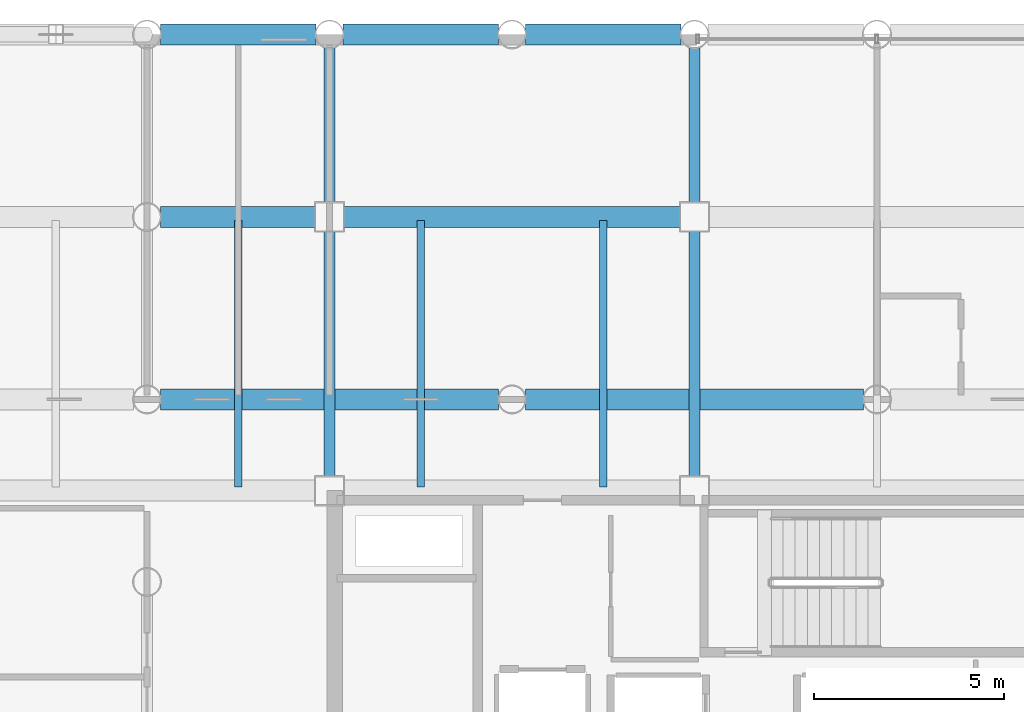
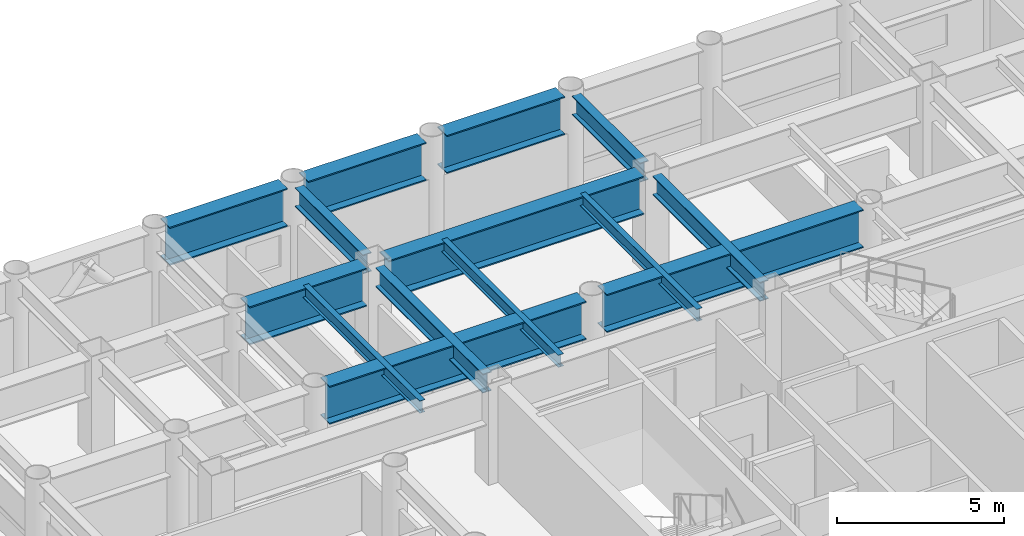
# One storey, part 9 of 22: 14 beams.
"""IFC4 building model written with IfcOpenShell, lengths in metres."""

from ifc_helpers import new_model, si_unit, direction, frame, origin, origin_2d, place, context, subcontext, project, spatial, i_section, extrude, material, material_profile, profile_set, type_object, element, save


model = new_model("IFC4")

# Units and contexts
model_context = context("Model", 3, precision=1e-05, world=origin(), true_north=direction((0.0, 1.0)))
body_context = subcontext(model_context, "Body", "Model", "MODEL_VIEW")
ifc_project = project(units=[si_unit("LENGTHUNIT", "METRE"), si_unit("AREAUNIT", "SQUARE_METRE"), si_unit("VOLUMEUNIT", "CUBIC_METRE"), si_unit("PLANEANGLEUNIT", "RADIAN"), si_unit("MASSUNIT", "GRAM", prefix="KILO")], contexts=[model_context])

# Site, building, storey
site_placement = place(None, origin())
site = spatial("IfcSite", under=ifc_project, at=site_placement, CompositionType="ELEMENT")
building_placement = place(site_placement, origin())
building = spatial("IfcBuilding", under=site, at=building_placement, Name="Kallvorn Hotel Tower", CompositionType="ELEMENT")
storey_placement = place(building_placement, frame((0.0, 0.0, 59.60009765625)))
storey = spatial("IfcBuildingStorey", under=building, at=storey_placement, Name="L13", CompositionType="ELEMENT", Elevation=59.60009765625)

# Beams
ifc_material_1 = material(Name="Structural steel S355JR", Category="steel")
ifc_material_profile_1 = material_profile(ifc_material_1, i_section(OverallWidth=0.300048828125, OverallDepth=0.699951171875, WebThickness=0.01708984375, FlangeThickness=0.031982421875, at=origin_2d()), Name="HE 700 B")
ifc_profile_set_1 = profile_set([ifc_material_profile_1], Name="Structural steel S355JR")
beam_type_1 = type_object("IfcBeamType", Name="BM_HE700B", PredefinedType="BEAM", material=ifc_profile_set_1)
beam_1_placement = place(storey_placement, frame((-14.39990234375, 7.574951171875, 3.169921875), z_axis=(0.0, 1.0, 0.0), x_axis=(-1.0, 0.0, 0.0)))
element("IfcBeam", 1, at=beam_1_placement, inside=storey, type_object=beam_type_1, Name="L14 Primary Y-Girder 100", PredefinedType="BEAM", context=body_context, shape_type="SweptSolid", body=[
    extrude(i_section(OverallWidth=0.300048828125, OverallDepth=0.699951171875, WebThickness=0.01708984375, FlangeThickness=0.031982421875, at=origin_2d()), origin(), (0.0, 0.0, 1.0), 6.449951171875),
])
beam_2_placement = place(storey_placement, frame((-14.39990234375, 14.77490234375, 3.169921875), z_axis=(0.0, 1.0, 0.0), x_axis=(-1.0, 0.0, 0.0)))
element("IfcBeam", 2, at=beam_2_placement, inside=storey, type_object=beam_type_1, Name="L14 Primary Y-Girder 101", PredefinedType="BEAM", context=body_context, shape_type="SweptSolid", body=[
    extrude(i_section(OverallWidth=0.300048828125, OverallDepth=0.699951171875, WebThickness=0.01708984375, FlangeThickness=0.031982421875, at=origin_2d()), origin(), (0.0, 0.0, 1.0), 4.069091796875),
])
beam_3_placement = place(storey_placement, frame((-4.800048828125, 7.574951171875, 3.169921875), z_axis=(0.0, 1.0, 0.0), x_axis=(-1.0, 0.0, 0.0)))
element("IfcBeam", 3, at=beam_3_placement, inside=storey, type_object=beam_type_1, Name="L14 Primary Y-Girder 108", PredefinedType="BEAM", context=body_context, shape_type="SweptSolid", body=[
    extrude(i_section(OverallWidth=0.300048828125, OverallDepth=0.699951171875, WebThickness=0.01708984375, FlangeThickness=0.031982421875, at=origin_2d()), origin(), (0.0, 0.0, 1.0), 6.449951171875),
])
beam_4_placement = place(storey_placement, frame((-4.800048828125, 14.77490234375, 3.169921875), z_axis=(0.0, 1.0, 0.0), x_axis=(-1.0, 0.0, 0.0)))
element("IfcBeam", 4, at=beam_4_placement, inside=storey, type_object=beam_type_1, Name="L14 Primary Y-Girder 109", PredefinedType="BEAM", context=body_context, shape_type="SweptSolid", body=[
    extrude(i_section(OverallWidth=0.300048828125, OverallDepth=0.699951171875, WebThickness=0.01708984375, FlangeThickness=0.031982421875, at=origin_2d()), origin(), (0.0, 0.0, 1.0), 4.069091796875),
])
ifc_material_2 = material(Name="Structural steel S355JR", Category="steel")
ifc_material_profile_2 = material_profile(ifc_material_2, i_section(OverallWidth=0.18994140625, OverallDepth=0.449951171875, WebThickness=0.009521484375, FlangeThickness=0.0146484375, at=origin_2d()), Name="IPE 450")
ifc_profile_set_2 = profile_set([ifc_material_profile_2], Name="Structural steel S355JR")
beam_type_2 = type_object("IfcBeamType", Name="BM_IPE450", PredefinedType="JOIST", material=ifc_profile_set_2)
for number, where, z_axis, x_axis, name in (
    (5, (-16.800048828125, 7.300048828125, 3.294921875), (0.0, 1.0, 0.0), (-1.0, 0.0, 0.0), "L14 Secondary Composite Joist 195"),
    (6, (-12.0, 7.300048828125, 3.294921875), (0.0, 1.0, 0.0), (-1.0, 0.0, 0.0), "L14 Secondary Composite Joist 197"),
    (7, (-7.199951171875, 7.300048828125, 3.294921875), (0.0, 1.0, 0.0), (-1.0, 0.0, 0.0), "L14 Secondary Composite Joist 199"),
):
    element("IfcBeam", number, at=place(storey_placement, frame(where, z_axis=z_axis, x_axis=x_axis)), inside=storey, type_object=beam_type_2, Name=name, PredefinedType="JOIST", context=body_context, shape_type="SweptSolid", body=[
        extrude(i_section(OverallWidth=0.18994140625, OverallDepth=0.449951171875, WebThickness=0.009521484375, FlangeThickness=0.0146484375, at=origin_2d()), origin(), (0.0, 0.0, 1.0), 7.0),
    ])
ifc_material_3 = material(Name="Structural steel S355JR", Category="steel")
ifc_material_profile_3 = material_profile(ifc_material_3, i_section(OverallWidth=0.550048828125, OverallDepth=1.39990234375, WebThickness=0.02490234375, FlangeThickness=0.044921875, at=origin_2d()), Name="PG 1400x550x25x45")
ifc_profile_set_3 = profile_set([ifc_material_profile_3], Name="Structural steel S355JR")
beam_type_3 = type_object("IfcBeamType", Name="BM_PG_1400", PredefinedType="BEAM", material=ifc_profile_set_3)
for number, where, z_axis, x_axis, name in (
    (8, (-18.843994140625, 9.60009765625, 2.81982421875), (1.0, 0.0, 0.0), (0.0, 1.0, 0.0), "L14 Primary X-Girder 44"),
    (9, (-9.243896484375, 9.60009765625, 2.81982421875), (1.0, 0.0, 0.0), (0.0, 1.0, 0.0), "L14 Primary X-Girder 45"),
):
    element("IfcBeam", number, at=place(storey_placement, frame(where, z_axis=z_axis, x_axis=x_axis)), inside=storey, type_object=beam_type_3, Name=name, PredefinedType="BEAM", context=body_context, shape_type="SweptSolid", body=[
        extrude(i_section(OverallWidth=0.550048828125, OverallDepth=1.39990234375, WebThickness=0.02490234375, FlangeThickness=0.044921875, at=origin_2d()), origin(), (0.0, 0.0, 1.0), 8.887939453125),
    ])
beam_5_placement = place(storey_placement, frame((-18.843994140625, 14.39990234375, 2.81982421875), z_axis=(1.0, 0.0, 0.0), x_axis=(0.0, 1.0, 0.0)))
element("IfcBeam", 10, at=beam_5_placement, inside=storey, type_object=beam_type_3, Name="L14 Primary X-Girder 53", PredefinedType="BEAM", context=body_context, shape_type="SweptSolid", body=[
    extrude(i_section(OverallWidth=0.550048828125, OverallDepth=1.39990234375, WebThickness=0.02490234375, FlangeThickness=0.044921875, at=origin_2d()), origin(), (0.0, 0.0, 1.0), 4.069091796875),
])
beam_6_placement = place(storey_placement, frame((-14.02490234375, 14.39990234375, 2.81982421875), z_axis=(1.0, 0.0, 0.0), x_axis=(0.0, 1.0, 0.0)))
element("IfcBeam", 11, at=beam_6_placement, inside=storey, type_object=beam_type_3, Name="L14 Primary X-Girder 54", PredefinedType="BEAM", context=body_context, shape_type="SweptSolid", body=[
    extrude(i_section(OverallWidth=0.550048828125, OverallDepth=1.39990234375, WebThickness=0.02490234375, FlangeThickness=0.044921875, at=origin_2d()), origin(), (0.0, 0.0, 1.0), 8.849853515625),
])
for number, where, z_axis, x_axis, name in (
    (12, (-18.843994140625, 19.199951171875, 2.81982421875), (1.0, 0.0, 0.0), (0.0, 1.0, 0.0), "L14 Primary X-Girder 63"),
    (13, (-14.0439453125, 19.199951171875, 2.81982421875), (1.0, 0.0, 0.0), (0.0, 1.0, 0.0), "L14 Primary X-Girder 64"),
    (14, (-9.243896484375, 19.199951171875, 2.81982421875), (1.0, 0.0, 0.0), (0.0, 1.0, 0.0), "L14 Primary X-Girder 65"),
):
    element("IfcBeam", number, at=place(storey_placement, frame(where, z_axis=z_axis, x_axis=x_axis)), inside=storey, type_object=beam_type_3, Name=name, PredefinedType="BEAM", context=body_context, shape_type="SweptSolid", body=[
        extrude(i_section(OverallWidth=0.550048828125, OverallDepth=1.39990234375, WebThickness=0.02490234375, FlangeThickness=0.044921875, at=origin_2d()), origin(), (0.0, 0.0, 1.0), 4.087890625),
    ])

save(model, "model.ifc")
